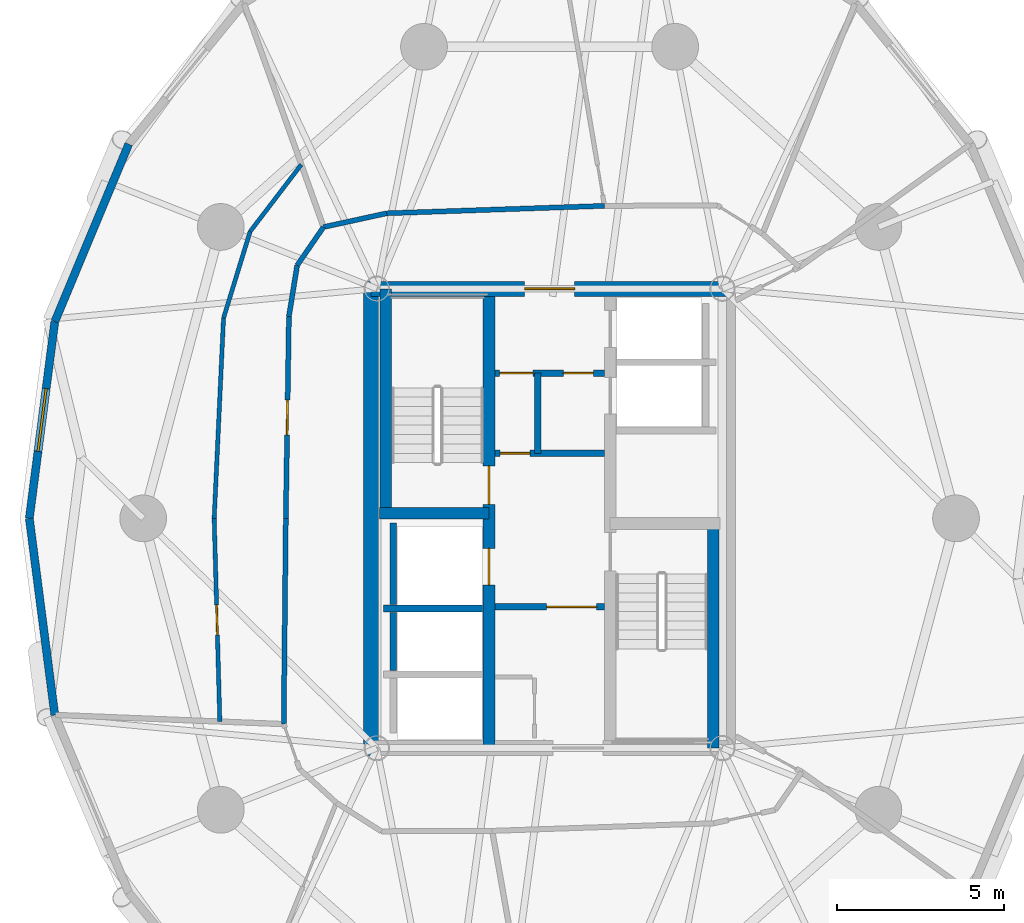
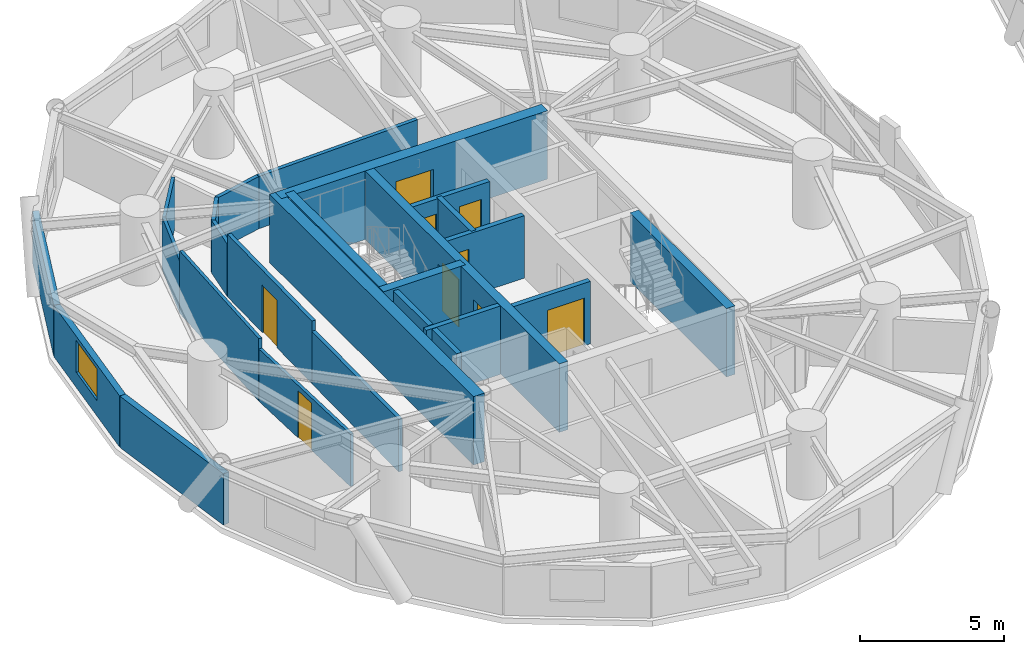
# One storey, part 10 of 17: 26 walls, 9 doors, 1 window, 10 openings.
"""IFC4 building model written with IfcOpenShell, lengths in metres."""

from ifc_helpers import new_model, si_unit, direction, frame, frame_2d, origin, place, context, subcontext, project, spatial, rectangle, extrude, source, transform, mapped, material, layer, layer_set, type_object, element, fill, save


model = new_model("IFC4")

# Units and contexts
model_context = context("Model", 3, precision=1e-05, world=origin(), true_north=direction((0.0, 1.0)))
body_context = subcontext(model_context, "Body", "Model", "MODEL_VIEW")
ifc_project = project(units=[si_unit("LENGTHUNIT", "METRE"), si_unit("AREAUNIT", "SQUARE_METRE"), si_unit("VOLUMEUNIT", "CUBIC_METRE"), si_unit("PLANEANGLEUNIT", "RADIAN"), si_unit("MASSUNIT", "GRAM", prefix="KILO")], contexts=[model_context])

# Site, building, storey
site_placement = place(None, origin())
site = spatial("IfcSite", under=ifc_project, at=site_placement, CompositionType="ELEMENT")
building_placement = place(site_placement, origin())
building = spatial("IfcBuilding", under=site, at=building_placement, Name="Cununo Teusaquillo Station Towers", CompositionType="ELEMENT")
storey_placement = place(building_placement, frame((0.0, 0.0, 116.7099609375)))
storey = spatial("IfcBuildingStorey", under=building, at=storey_placement, Name="L37", CompositionType="ELEMENT", Elevation=116.7099609375)

# Walls
ifc_material_1 = material(Name="Concrete C50/60", Category="concrete")
ifc_layer_1 = layer(ifc_material_1, 0.199951171875)
ifc_layer_set_1 = layer_set([ifc_layer_1], Name="Concrete C50/60")
wall_type_1 = type_object("IfcWallType", Name="WL-CORE-200", PredefinedType="SHEAR", material=ifc_layer_set_1)
wall_1_placement = place(storey_placement, frame((11.52001953125, 21.800048828125, 0.0), z_axis=(0.0, 0.0, 1.0), x_axis=(1.0, 0.0, 0.0)))
element("IfcWall", 1, at=wall_1_placement, inside=storey, type_object=wall_type_1, Name="L37 Tower A Firefighting Lift Shaft South Shear Wall", PredefinedType="SHEAR", context=body_context, shape_type="SweptSolid", body=[
    extrude(rectangle(XDim=2.969970703125, YDim=0.199951171875, at=frame_2d((1.48486328125, 0.0))), origin(), (0.0, 0.0, 1.0), 2.91015625),
])
wall_2_placement = place(storey_placement, frame((11.820068359375, 21.919921875, 0.0), z_axis=(0.0, 0.0, 1.0), x_axis=(0.0, 1.0, 0.0)))
element("IfcWall", 2, at=wall_2_placement, inside=storey, type_object=wall_type_1, Name="L37 Tower A Firefighting Lift Shaft Rear Shear Wall", PredefinedType="SHEAR", context=body_context, shape_type="SweptSolid", body=[
    extrude(rectangle(XDim=2.440185546875, YDim=0.199951171875, at=frame_2d((1.22021484375, 0.0))), origin(), (0.0, 0.0, 1.0), 2.91015625),
])
wall_3_placement = place(storey_placement, frame((11.820068359375, 19.945068359375, 0.0), z_axis=(0.0, 0.0, 1.0), x_axis=(0.0, 1.0, 0.0)))
element("IfcWall", 3, at=wall_3_placement, inside=storey, type_object=wall_type_1, Name="L37 Tower A High-Rise Lift 2 Shaft Rear Shear Wall", PredefinedType="SHEAR", context=body_context, shape_type="SweptSolid", body=[
    extrude(rectangle(XDim=1.73486328125, YDim=0.199951171875, at=frame_2d((0.867431640625, 0.0))), origin(), (0.0, 0.0, 1.0), 2.91015625),
])

# Wall, openings, doors
ifc_material_2 = material(Name="Concrete C50/60", Category="concrete")
ifc_layer_2 = layer(ifc_material_2, 0.35009765625)
ifc_layer_set_2 = layer_set([ifc_layer_2], Name="Concrete C50/60")
wall_type_2 = type_object("IfcWallType", Name="WL-CORE-350", PredefinedType="SHEAR", material=ifc_layer_set_2)
wall_4_placement = place(storey_placement, frame((14.68505859375, 17.625, 0.0), z_axis=(0.0, 0.0, 1.0), x_axis=(0.0, 1.0, 0.0)))
wall_4 = element("IfcWall", 4, at=wall_4_placement, inside=storey, type_object=wall_type_2, Name="L37 Tower A Core Shear Wall IW", PredefinedType="SHEAR", context=body_context, shape_type="SweptSolid", body=[
    extrude(rectangle(XDim=13.75, YDim=0.35009765625, at=frame_2d((6.875, 0.0))), origin(), (0.0, 0.0, 1.0), 2.91015625),
])
shared_shape_1 = source(origin(), body_context, "Body", "SweptSolid", [
    extrude(rectangle(XDim=1.10009765625, YDim=2.014892578125, at=frame_2d((0.550048828125, 1.00732421875))), frame((0.0, 0.18505859375, 0.0), z_axis=(0.0, -1.0, 0.0), x_axis=(1.0, 0.0, 0.0)), (0.0, 0.0, 1.0), 0.3701171875),
])
opening_1_placement = place(wall_4_placement, frame((4.875, 0.0, 0.0)))
opening_1 = element("IfcOpeningElement", 5, at=opening_1_placement, cuts=wall_4, Name="Opening LD-01", PredefinedType="OPENING", context=body_context, shape_type="MappedRepresentation", body=[
    mapped(shared_shape_1, transform((0.0, 0.0, 0.0), x_axis=(1.0, 0.0, 0.0), y_axis=(0.0, 1.0, 0.0), z_axis=(0.0, 0.0, 1.0), scale=1.0)),
])
shared_shape_2 = source(origin(), body_context, "Body", "SweptSolid", [
    extrude(rectangle(XDim=1.14990234375, YDim=2.02001953125, at=frame_2d((0.574951171875, 1.010009765625))), frame((0.0, 0.18505859375, 0.0), z_axis=(0.0, -1.0, 0.0), x_axis=(1.0, 0.0, 0.0)), (0.0, 0.0, 1.0), 0.3701171875),
])
opening_2_placement = place(wall_4_placement, frame((7.294921875, 0.0, 0.0)))
opening_2 = element("IfcOpeningElement", 6, at=opening_2_placement, cuts=wall_4, Name="Opening D-ST1", PredefinedType="OPENING", context=body_context, shape_type="MappedRepresentation", body=[
    mapped(shared_shape_2, transform((0.0, 0.0, 0.0), x_axis=(1.0, 0.0, 0.0), y_axis=(0.0, 1.0, 0.0), z_axis=(0.0, 0.0, 1.0), scale=1.0)),
])
ifc_material_3 = material(Name="Galvanised fire-rated hollow steel door assembly", Category="steel")
door_type_1 = type_object("IfcDoorType", Name="DR-LIFT-1100", OperationType="SLIDING_TO_LEFT", PredefinedType="DOOR", material=ifc_material_3)
shared_shape_3 = source(origin(), body_context, "Body", "SweptSolid", [
    extrude(rectangle(XDim=1.10009765625, YDim=2.014892578125, at=frame_2d((0.550048828125, 1.00732421875))), frame((0.0, 0.02490234375, 0.0), z_axis=(0.0, -1.0, 0.0), x_axis=(1.0, 0.0, 0.0)), (0.0, 0.0, 1.0), 0.050048828125),
])
door_1_placement = place(opening_1_placement, origin())
door_1 = element("IfcDoor", 7, at=door_1_placement, inside=storey, type_object=door_type_1, Name="L37 Lift FL-T1 Sliding Landing Door", OperationType="SLIDING_TO_RIGHT", OverallHeight=2.014892578125, OverallWidth=1.10009765625, PredefinedType="DOOR", context=body_context, shape_type="MappedRepresentation", body=[
    mapped(shared_shape_3, transform((0.0, 0.0, 0.0), x_axis=(1.0, 0.0, 0.0), y_axis=(0.0, 1.0, 0.0), z_axis=(0.0, 0.0, 1.0), scale=1.0)),
])
fill(opening_1, door_1)
ifc_material_4 = material(Name="Galvanised fire-rated hollow steel door assembly", Category="steel")
door_type_2 = type_object("IfcDoorType", Name="DR-STAIR-1150", OperationType="NOTDEFINED", PredefinedType="DOOR", material=ifc_material_4)
shared_shape_4 = source(origin(), body_context, "Body", "SweptSolid", [
    extrude(rectangle(XDim=1.14990234375, YDim=2.02001953125, at=frame_2d((0.574951171875, 1.010009765625))), frame((0.0, 0.02490234375, 0.0), z_axis=(0.0, -1.0, 0.0), x_axis=(1.0, 0.0, 0.0)), (0.0, 0.0, 1.0), 0.050048828125),
])
door_2_placement = place(opening_2_placement, origin())
door_2 = element("IfcDoor", 8, at=door_2_placement, inside=storey, type_object=door_type_2, Name="L37 Tower A Exit Stair 1 Fire Door", OperationType="SINGLE_SWING_RIGHT", OverallHeight=2.02001953125, OverallWidth=1.14990234375, PredefinedType="DOOR", context=body_context, shape_type="MappedRepresentation", body=[
    mapped(shared_shape_4, transform((0.0, 0.0, 0.0), x_axis=(1.0, 0.0, 0.0), y_axis=(0.0, 1.0, 0.0), z_axis=(0.0, 0.0, 1.0), scale=1.0)),
])
fill(opening_2, door_2)

# Walls
wall_5_placement = place(storey_placement, frame((11.594970703125, 24.655029296875, 0.0), z_axis=(0.0, 0.0, 1.0), x_axis=(0.0, 1.0, 0.0)))
element("IfcWall", 9, at=wall_5_placement, inside=storey, type_object=wall_type_2, Name="L37 Tower A Core Shear Wall ST1W", PredefinedType="SHEAR", context=body_context, shape_type="SweptSolid", body=[
    extrude(rectangle(XDim=6.719970703125, YDim=0.35009765625, at=frame_2d((3.35986328125, 0.0))), origin(), (0.0, 0.0, 1.0), 2.91015625),
])
wall_6_placement = place(storey_placement, frame((11.39990234375, 24.655029296875, 0.0), z_axis=(0.0, 0.0, 1.0), x_axis=(1.0, 0.0, 0.0)))
element("IfcWall", 10, at=wall_6_placement, inside=storey, type_object=wall_type_2, Name="L37 Tower A Core Shear Wall ST1S", PredefinedType="SHEAR", context=body_context, shape_type="SweptSolid", body=[
    extrude(rectangle(XDim=3.28515625, YDim=0.35009765625, at=frame_2d((1.642578125, 0.0))), origin(), (0.0, 0.0, 1.0), 2.91015625),
])
wall_7_placement = place(storey_placement, frame((21.405029296875, 17.625, 0.0), z_axis=(0.0, 0.0, 1.0), x_axis=(0.0, 1.0, 0.0)))
element("IfcWall", 11, at=wall_7_placement, inside=storey, type_object=wall_type_2, Name="L37 Tower A Core Shear Wall ST2E", PredefinedType="SHEAR", context=body_context, shape_type="SweptSolid", body=[
    extrude(rectangle(XDim=6.719970703125, YDim=0.35009765625, at=frame_2d((3.35986328125, 0.0))), origin(), (0.0, 0.0, 1.0), 2.91015625),
])
ifc_material_5 = material(Name="Concrete C60/75", Category="concrete")
ifc_layer_3 = layer(ifc_material_5, 0.449951171875)
ifc_layer_set_3 = layer_set([ifc_layer_3], Name="Concrete C60/75")
wall_type_3 = type_object("IfcWallType", Name="WL-CORE-450", PredefinedType="SHEAR", material=ifc_layer_set_3)
wall_8_placement = place(storey_placement, frame((11.14990234375, 17.39990234375, 0.0), z_axis=(0.0, 0.0, 1.0), x_axis=(0.0, 1.0, 0.0)))
element("IfcWall", 12, at=wall_8_placement, inside=storey, type_object=wall_type_3, Name="L37 Tower A Core Shear Wall W", PredefinedType="SHEAR", context=body_context, shape_type="SweptSolid", body=[
    extrude(rectangle(XDim=14.2001953125, YDim=0.449951171875, at=frame_2d((7.10009765625, 0.0))), origin(), (0.0, 0.0, 1.0), 2.91015625),
])

# Wall, opening, door
wall_9_placement = place(storey_placement, frame((11.14990234375, 31.375, 0.0), z_axis=(0.0, 0.0, 1.0), x_axis=(1.0, 0.0, 0.0)))
wall_9 = element("IfcWall", 13, at=wall_9_placement, inside=storey, type_object=wall_type_3, Name="L37 Tower A Core Shear Wall N", PredefinedType="SHEAR", context=body_context, shape_type="SweptSolid", body=[
    extrude(rectangle(XDim=10.7001953125, YDim=0.449951171875, at=frame_2d((5.35009765625, 0.0))), origin(), (0.0, 0.0, 1.0), 2.91015625),
])
shared_shape_5 = source(origin(), body_context, "Body", "SweptSolid", [
    extrude(rectangle(XDim=1.5, YDim=2.02001953125, at=frame_2d((0.75, 1.010009765625))), frame((0.0, 0.23486328125, 0.0), z_axis=(0.0, -1.0, 0.0), x_axis=(1.0, 0.0, 0.0)), (0.0, 0.0, 1.0), 0.469970703125),
])
opening_3_placement = place(wall_9_placement, frame((4.60009765625, 0.0, 0.0)))
opening_3 = element("IfcOpeningElement", 14, at=opening_3_placement, cuts=wall_9, Name="Opening D-LB1", PredefinedType="OPENING", context=body_context, shape_type="MappedRepresentation", body=[
    mapped(shared_shape_5, transform((0.0, 0.0, 0.0), x_axis=(1.0, 0.0, 0.0), y_axis=(0.0, 1.0, 0.0), z_axis=(0.0, 0.0, 1.0), scale=1.0)),
])
ifc_material_6 = material(Name="Galvanised fire-rated hollow steel door assembly", Category="steel")
door_type_3 = type_object("IfcDoorType", Name="DR-LOBBY-1500", OperationType="DOUBLE_DOOR_SINGLE_SWING", PredefinedType="DOOR", material=ifc_material_6)
shared_shape_6 = source(origin(), body_context, "Body", "SweptSolid", [
    extrude(rectangle(XDim=1.5, YDim=2.02001953125, at=frame_2d((0.75, 1.010009765625))), frame((0.0, 0.02490234375, 0.0), z_axis=(0.0, -1.0, 0.0), x_axis=(1.0, 0.0, 0.0)), (0.0, 0.0, 1.0), 0.050048828125),
])
door_3_placement = place(opening_3_placement, origin())
door_3 = element("IfcDoor", 15, at=door_3_placement, inside=storey, type_object=door_type_3, Name="L37 Tower A North Core Lift Lobby Door", OperationType="DOUBLE_DOOR_SINGLE_SWING", OverallHeight=2.02001953125, OverallWidth=1.5, PredefinedType="DOOR", context=body_context, shape_type="MappedRepresentation", body=[
    mapped(shared_shape_6, transform((0.0, 0.0, 0.0), x_axis=(1.0, 0.0, 0.0), y_axis=(0.0, 1.0, 0.0), z_axis=(0.0, 0.0, 1.0), scale=1.0)),
])
fill(opening_3, door_3)

# Wall
ifc_material_7 = material(Name="Precast concrete C40/50", Category="concrete")
ifc_layer_4 = layer(ifc_material_7, 0.239990234375)
ifc_layer_set_4 = layer_set([ifc_layer_4], Name="Precast concrete C40/50")
wall_type_4 = type_object("IfcWallType", Name="WL-EXT-240", PredefinedType="SOLIDWALL", material=ifc_layer_set_4)
wall_10_placement = place(storey_placement, frame((1.681640625, 30.39306640625, 0.0), z_axis=(0.0, 0.0, 1.0), x_axis=(0.384344417632, 0.923189779317, 0.0)))
element("IfcWall", 16, at=wall_10_placement, inside=storey, type_object=wall_type_4, Name="L37 Tower A Exterior Facade Wall C08", PredefinedType="SOLIDWALL", context=body_context, shape_type="SweptSolid", body=[
    extrude(rectangle(XDim=5.75830078125, YDim=0.239990234375, at=frame_2d((2.879150390625, 0.0))), origin(), (0.0, 0.0, 1.0), 2.178955078125),
])

# Wall, opening, window
wall_11_placement = place(storey_placement, frame((0.9189453125, 24.5, 0.0), z_axis=(0.0, 0.0, 1.0), x_axis=(0.128351991996, 0.991728675672, 0.0)))
wall_11 = element("IfcWall", 17, at=wall_11_placement, inside=storey, type_object=wall_type_4, Name="L37 Tower A Exterior Facade Wall C09", PredefinedType="SOLIDWALL", context=body_context, shape_type="SweptSolid", body=[
    extrude(rectangle(XDim=5.942138671875, YDim=0.239990234375, at=frame_2d((2.97119140625, 0.0))), origin(), (0.0, 0.0, 1.0), 2.178955078125),
])
shared_shape_7 = source(origin(), body_context, "Body", "SweptSolid", [
    extrude(rectangle(XDim=1.89990234375, YDim=1.35009765625, at=frame_2d((0.949951171875, 0.675048828125))), frame((0.0, 0.1298828125, 0.0), z_axis=(0.0, -1.0, 0.0), x_axis=(1.0, 0.0, 0.0)), (0.0, 0.0, 1.0), 0.260009765625),
])
opening_4_placement = place(wall_11_placement, frame((2.02099609375, 0.0, 0.64990234375)))
opening_4 = element("IfcOpeningElement", 18, at=opening_4_placement, cuts=wall_11, Name="Opening WN-02", PredefinedType="OPENING", context=body_context, shape_type="MappedRepresentation", body=[
    mapped(shared_shape_7, transform((0.0, 0.0, 0.0), x_axis=(1.0, 0.0, 0.0), y_axis=(0.0, 1.0, 0.0), z_axis=(0.0, 0.0, 1.0), scale=1.0)),
])
ifc_material_8 = material(Name="Operable acoustic tinted low-E double glazing", Category="glass")
window_type = type_object("IfcWindowType", Name="WIN-OPER-1900", PartitioningType="DOUBLE_PANEL_VERTICAL", PredefinedType="WINDOW", material=ifc_material_8)
shared_shape_8 = source(origin(), body_context, "Body", "SweptSolid", [
    extrude(rectangle(XDim=1.89990234375, YDim=1.35009765625, at=frame_2d((0.949951171875, 0.675048828125))), frame((0.0, 0.030029296875, 0.0), z_axis=(0.0, -1.0, 0.0), x_axis=(1.0, 0.0, 0.0)), (0.0, 0.0, 1.0), 0.06005859375),
])
window_placement = place(opening_4_placement, origin())
window = element("IfcWindow", 19, at=window_placement, inside=storey, type_object=window_type, Name="L37 Tower A Facade Window C09", OverallHeight=1.35009765625, OverallWidth=1.89990234375, PartitioningType="DOUBLE_PANEL_VERTICAL", PredefinedType="WINDOW", context=body_context, shape_type="MappedRepresentation", body=[
    mapped(shared_shape_8, transform((0.0, 0.0, 0.0), x_axis=(1.0, 0.0, 0.0), y_axis=(0.0, 1.0, 0.0), z_axis=(0.0, 0.0, 1.0), scale=1.0)),
])
fill(opening_4, window)

# Walls
wall_12_placement = place(storey_placement, frame((1.681640625, 18.60693359375, 0.0), z_axis=(0.0, 0.0, 1.0), x_axis=(-0.128351991996, 0.991728675672, 0.0)))
element("IfcWall", 20, at=wall_12_placement, inside=storey, type_object=wall_type_4, Name="L37 Tower A Exterior Facade Wall C10", PredefinedType="SOLIDWALL", context=body_context, shape_type="SweptSolid", body=[
    extrude(rectangle(XDim=5.942138671875, YDim=0.239990234375, at=frame_2d((2.97119140625, 0.0))), origin(), (0.0, 0.0, 1.0), 2.178955078125),
])
ifc_material_9 = material(Name="Fire-rated gypsum plasterboard partition assembly", Category="gypsum")
ifc_layer_5 = layer(ifc_material_9, 0.125)
ifc_layer_set_5 = layer_set([ifc_layer_5], Name="Fire-rated gypsum plasterboard partition assembly")
wall_type_5 = type_object("IfcWallType", Name="WL-PART-125", PredefinedType="PARTITIONING", material=ifc_layer_set_5)
wall_13_placement = place(storey_placement, frame((9.064208984375, 35.09716796875, 0.0), z_axis=(0.0, 0.0, 1.0), x_axis=(-0.607126893664, -0.794604892377, 0.0)))
element("IfcWall", 21, at=wall_13_placement, inside=storey, type_object=wall_type_5, Name="L37 Tower A Corporate Strategy Boardroom Concentric Partition Wall C07", PredefinedType="PARTITIONING", context=body_context, shape_type="SweptSolid", body=[
    extrude(rectangle(XDim=2.523681640625, YDim=0.125, at=frame_2d((1.26171875, 0.0))), origin(), (0.0, 0.0, 1.0), 2.178955078125),
])
wall_14_placement = place(storey_placement, frame((7.531982421875, 33.091796875, 0.0), z_axis=(0.0, 0.0, 1.0), x_axis=(-0.293965637063, -0.955815988685, 0.0)))
element("IfcWall", 22, at=wall_14_placement, inside=storey, type_object=wall_type_5, Name="L37 Tower A Corporate Strategy Boardroom Concentric Partition Wall C08", PredefinedType="PARTITIONING", context=body_context, shape_type="SweptSolid", body=[
    extrude(rectangle(XDim=2.711669921875, YDim=0.125, at=frame_2d((1.35595703125, 0.0))), origin(), (0.0, 0.0, 1.0), 2.22509765625),
])
wall_15_placement = place(storey_placement, frame((6.73486328125, 30.5, 0.0), z_axis=(0.0, 0.0, 1.0), x_axis=(-0.046620801603, -0.998912659274, 0.0)))
element("IfcWall", 23, at=wall_15_placement, inside=storey, type_object=wall_type_5, Name="L37 Tower A Corporate Strategy Boardroom Concentric Partition Wall C09", PredefinedType="PARTITIONING", context=body_context, shape_type="SweptSolid", body=[
    extrude(rectangle(XDim=6.006591796875, YDim=0.125, at=frame_2d((3.00341796875, 0.0))), origin(), (0.0, 0.0, 1.0), 2.655029296875),
])

# Wall, opening, door
wall_16_placement = place(storey_placement, frame((6.454833984375, 24.5, 0.0), z_axis=(0.0, 0.0, 1.0), x_axis=(0.027753708707, -0.999614791634, 0.0)))
wall_16 = element("IfcWall", 24, at=wall_16_placement, inside=storey, type_object=wall_type_5, Name="L37 Tower A Corporate Strategy Boardroom Concentric Partition Wall C10", PredefinedType="PARTITIONING", context=body_context, shape_type="SweptSolid", body=[
    extrude(rectangle(XDim=6.08740234375, YDim=0.125, at=frame_2d((3.043701171875, 0.0))), origin(), (0.0, 0.0, 1.0), 2.22509765625),
])
shared_shape_9 = source(origin(), body_context, "Body", "SweptSolid", [
    extrude(rectangle(XDim=0.89990234375, YDim=2.0048828125, at=frame_2d((0.449951171875, 1.00244140625))), frame((0.0, 0.072509765625, 0.0), z_axis=(0.0, -1.0, 0.0), x_axis=(1.0, 0.0, 0.0)), (0.0, 0.0, 1.0), 0.14501953125),
])
opening_5_placement = place(wall_16_placement, frame((2.593505859375, 0.0, 0.0)))
opening_5 = element("IfcOpeningElement", 25, at=opening_5_placement, cuts=wall_16, Name="Opening D-IN1", PredefinedType="OPENING", context=body_context, shape_type="MappedRepresentation", body=[
    mapped(shared_shape_9, transform((0.0, 0.0, 0.0), x_axis=(1.0, 0.0, 0.0), y_axis=(0.0, 1.0, 0.0), z_axis=(0.0, 0.0, 1.0), scale=1.0)),
])
ifc_material_10 = material(Name="Acoustic solid-core hardwood leaf assembly", Category="wood")
door_type_4 = type_object("IfcDoorType", Name="DR-INT-900", OperationType="NOTDEFINED", PredefinedType="DOOR", material=ifc_material_10)
shared_shape_10 = source(origin(), body_context, "Body", "SweptSolid", [
    extrude(rectangle(XDim=0.89990234375, YDim=2.0048828125, at=frame_2d((0.449951171875, 1.00244140625))), frame((0.0, 0.02490234375, 0.0), z_axis=(0.0, -1.0, 0.0), x_axis=(1.0, 0.0, 0.0)), (0.0, 0.0, 1.0), 0.050048828125),
])
door_4_placement = place(opening_5_placement, origin())
door_4 = element("IfcDoor", 26, at=door_4_placement, inside=storey, type_object=door_type_4, Name="L37 Tower A Corporate Strategy Boardroom Connecting Door", OperationType="SINGLE_SWING_LEFT", OverallHeight=2.0048828125, OverallWidth=0.89990234375, PredefinedType="DOOR", context=body_context, shape_type="MappedRepresentation", body=[
    mapped(shared_shape_10, transform((0.0, 0.0, 0.0), x_axis=(1.0, 0.0, 0.0), y_axis=(0.0, 1.0, 0.0), z_axis=(0.0, 0.0, 1.0), scale=1.0)),
])
fill(opening_5, door_4)

# Walls
ifc_material_11 = material(Name="Fire-rated gypsum plasterboard partition assembly", Category="gypsum")
ifc_layer_6 = layer(ifc_material_11, 0.14990234375)
ifc_layer_set_6 = layer_set([ifc_layer_6], Name="Fire-rated gypsum plasterboard partition assembly")
wall_type_6 = type_object("IfcWallType", Name="WL-PART-150", PredefinedType="PARTITIONING", material=ifc_layer_set_6)
wall_17_placement = place(storey_placement, frame((18.142822265625, 33.859619140625, 0.0), z_axis=(0.0, 0.0, 1.0), x_axis=(-0.999419208319, -0.034077060363, 0.0)))
element("IfcWall", 27, at=wall_17_placement, inside=storey, type_object=wall_type_6, Name="L37 Tower A Corridor Ring Wall C05", PredefinedType="PARTITIONING", context=body_context, shape_type="SweptSolid", body=[
    extrude(rectangle(XDim=6.52685546875, YDim=0.14990234375, at=frame_2d((3.263427734375, 0.0))), origin(), (0.0, 0.0, 1.0), 2.22509765625),
])
wall_18_placement = place(storey_placement, frame((11.619873046875, 33.63720703125, 0.0), z_axis=(0.0, 0.0, 1.0), x_axis=(-0.97702579435, -0.213121085711, 0.0)))
element("IfcWall", 28, at=wall_18_placement, inside=storey, type_object=wall_type_6, Name="L37 Tower A Corridor Ring Wall C06", PredefinedType="PARTITIONING", context=body_context, shape_type="SweptSolid", body=[
    extrude(rectangle(XDim=1.934814453125, YDim=0.14990234375, at=frame_2d((0.96728515625, 0.0))), origin(), (0.0, 0.0, 1.0), 2.22509765625),
])
wall_19_placement = place(storey_placement, frame((9.7294921875, 33.224853515625, 0.0), z_axis=(0.0, 0.0, 1.0), x_axis=(-0.567183649484, -0.82359134755, 0.0)))
element("IfcWall", 29, at=wall_19_placement, inside=storey, type_object=wall_type_6, Name="L37 Tower A Corridor Ring Wall C07", PredefinedType="PARTITIONING", context=body_context, shape_type="SweptSolid", body=[
    extrude(rectangle(XDim=1.39208984375, YDim=0.14990234375, at=frame_2d((0.696044921875, 0.0))), origin(), (0.0, 0.0, 1.0), 2.22509765625),
])
wall_20_placement = place(storey_placement, frame((8.93994140625, 32.078369140625, 0.0), z_axis=(0.0, 0.0, 1.0), x_axis=(-0.159148467753, -0.98725466077, 0.0)))
element("IfcWall", 30, at=wall_20_placement, inside=storey, type_object=wall_type_6, Name="L37 Tower A Corridor Ring Wall C08", PredefinedType="PARTITIONING", context=body_context, shape_type="SweptSolid", body=[
    extrude(rectangle(XDim=1.553955078125, YDim=0.14990234375, at=frame_2d((0.77685546875, 0.0))), origin(), (0.0, 0.0, 1.0), 2.22509765625),
])

# Wall, opening, door
wall_21_placement = place(storey_placement, frame((8.692626953125, 30.544189453125, 0.0), z_axis=(0.0, 0.0, 1.0), x_axis=(-0.015307007986, -0.99988284089, 0.0)))
wall_21 = element("IfcWall", 31, at=wall_21_placement, inside=storey, type_object=wall_type_6, Name="L37 Tower A Corridor Ring Wall C09", PredefinedType="PARTITIONING", context=body_context, shape_type="SweptSolid", body=[
    extrude(rectangle(XDim=6.044921875, YDim=0.14990234375, at=frame_2d((3.0224609375, 0.0))), origin(), (0.0, 0.0, 1.0), 2.655029296875),
])
shared_shape_11 = source(origin(), body_context, "Body", "SweptSolid", [
    extrude(rectangle(XDim=1.050048828125, YDim=2.014892578125, at=frame_2d((0.52490234375, 1.00732421875))), frame((0.0, 0.0849609375, 0.0), z_axis=(0.0, -1.0, 0.0), x_axis=(1.0, 0.0, 0.0)), (0.0, 0.0, 1.0), 0.169921875),
])
opening_6_placement = place(wall_21_placement, frame((2.497314453125, 0.0, 0.0)))
opening_6 = element("IfcOpeningElement", 32, at=opening_6_placement, cuts=wall_21, Name="Opening D-SU1", PredefinedType="OPENING", context=body_context, shape_type="MappedRepresentation", body=[
    mapped(shared_shape_11, transform((0.0, 0.0, 0.0), x_axis=(1.0, 0.0, 0.0), y_axis=(0.0, 1.0, 0.0), z_axis=(0.0, 0.0, 1.0), scale=1.0)),
])
ifc_material_12 = material(Name="Acoustic solid-core hardwood leaf assembly", Category="wood")
door_type_5 = type_object("IfcDoorType", Name="DR-SUITE-1050", OperationType="NOTDEFINED", PredefinedType="DOOR", material=ifc_material_12)
shared_shape_12 = source(origin(), body_context, "Body", "SweptSolid", [
    extrude(rectangle(XDim=1.050048828125, YDim=2.014892578125, at=frame_2d((0.52490234375, 1.00732421875))), frame((0.0, 0.02490234375, 0.0), z_axis=(0.0, -1.0, 0.0), x_axis=(1.0, 0.0, 0.0)), (0.0, 0.0, 1.0), 0.050048828125),
])
door_5_placement = place(opening_6_placement, origin())
door_5 = element("IfcDoor", 33, at=door_5_placement, inside=storey, type_object=door_type_5, Name="L37 Tower A Corporate Strategy Boardroom Entrance Door", OperationType="SINGLE_SWING_RIGHT", OverallHeight=2.014892578125, OverallWidth=1.050048828125, PredefinedType="DOOR", context=body_context, shape_type="MappedRepresentation", body=[
    mapped(shared_shape_12, transform((0.0, 0.0, 0.0), x_axis=(1.0, 0.0, 0.0), y_axis=(0.0, 1.0, 0.0), z_axis=(0.0, 0.0, 1.0), scale=1.0)),
])
fill(opening_6, door_5)

# Wall
wall_22_placement = place(storey_placement, frame((8.60009765625, 24.5, 0.0), z_axis=(0.0, 0.0, 1.0), x_axis=(-0.010023665349, -0.999949761805, 0.0)))
element("IfcWall", 34, at=wall_22_placement, inside=storey, type_object=wall_type_6, Name="L37 Tower A Corridor Ring Wall C10", PredefinedType="PARTITIONING", context=body_context, shape_type="SweptSolid", body=[
    extrude(rectangle(XDim=6.162109375, YDim=0.14990234375, at=frame_2d((3.0810546875, 0.0))), origin(), (0.0, 0.0, 1.0), 2.22509765625),
])

# Wall, opening, door
ifc_material_13 = material(Name="Fire-rated gypsum plasterboard partition assembly", Category="gypsum")
ifc_layer_7 = layer(ifc_material_13, 0.199951171875)
ifc_layer_set_7 = layer_set([ifc_layer_7], Name="Fire-rated gypsum plasterboard partition assembly")
wall_type_7 = type_object("IfcWallType", Name="WL-PART-200", PredefinedType="PARTITIONING", material=ifc_layer_set_7)
wall_23_placement = place(storey_placement, frame((14.860107421875, 21.85009765625, 0.0), z_axis=(0.0, 0.0, 1.0), x_axis=(1.0, 0.0, 0.0)))
wall_23 = element("IfcWall", 35, at=wall_23_placement, inside=storey, type_object=wall_type_7, Name="L37 Tower A Firefighting Lift Lobby South Fire Wall", PredefinedType="PARTITIONING", context=body_context, shape_type="SweptSolid", body=[
    extrude(rectangle(XDim=3.27978515625, YDim=0.199951171875, at=frame_2d((1.639892578125, 0.0))), origin(), (0.0, 0.0, 1.0), 2.655029296875),
])
shared_shape_13 = source(origin(), body_context, "Body", "SweptSolid", [
    extrude(rectangle(XDim=1.5, YDim=2.02001953125, at=frame_2d((0.75, 1.010009765625))), frame((0.0, 0.10986328125, 0.0), z_axis=(0.0, -1.0, 0.0), x_axis=(1.0, 0.0, 0.0)), (0.0, 0.0, 1.0), 0.219970703125),
])
opening_7_placement = place(wall_23_placement, frame((1.550048828125, 0.0, 0.0)))
opening_7 = element("IfcOpeningElement", 36, at=opening_7_placement, cuts=wall_23, Name="Opening D-LB1", PredefinedType="OPENING", context=body_context, shape_type="MappedRepresentation", body=[
    mapped(shared_shape_13, transform((0.0, 0.0, 0.0), x_axis=(1.0, 0.0, 0.0), y_axis=(0.0, 1.0, 0.0), z_axis=(0.0, 0.0, 1.0), scale=1.0)),
])
door_6_placement = place(opening_7_placement, origin())
door_6 = element("IfcDoor", 37, at=door_6_placement, inside=storey, type_object=door_type_3, Name="L37 Tower A Firefighting Lift Lobby South Fire Door", OperationType="DOUBLE_DOOR_SINGLE_SWING", OverallHeight=2.02001953125, OverallWidth=1.5, PredefinedType="DOOR", context=body_context, shape_type="MappedRepresentation", body=[
    mapped(shared_shape_6, transform((0.0, 0.0, 0.0), x_axis=(1.0, 0.0, 0.0), y_axis=(0.0, 1.0, 0.0), z_axis=(0.0, 0.0, 1.0), scale=1.0)),
])
fill(opening_7, door_6)

wall_24_placement = place(storey_placement, frame((14.860107421875, 26.449951171875, 0.0), z_axis=(0.0, 0.0, 1.0), x_axis=(1.0, 0.0, 0.0)))
wall_24 = element("IfcWall", 38, at=wall_24_placement, inside=storey, type_object=wall_type_7, Name="L37 Tower A Firefighting Lift Lobby North Fire Wall", PredefinedType="PARTITIONING", context=body_context, shape_type="SweptSolid", body=[
    extrude(rectangle(XDim=3.27978515625, YDim=0.199951171875, at=frame_2d((1.639892578125, 0.0))), origin(), (0.0, 0.0, 1.0), 2.655029296875),
])
shared_shape_14 = source(origin(), body_context, "Body", "SweptSolid", [
    extrude(rectangle(XDim=0.89990234375, YDim=2.0048828125, at=frame_2d((0.449951171875, 1.00244140625))), frame((0.0, 0.10986328125, 0.0), z_axis=(0.0, -1.0, 0.0), x_axis=(1.0, 0.0, 0.0)), (0.0, 0.0, 1.0), 0.219970703125),
])
opening_8_placement = place(wall_24_placement, frame((0.159912109375, 0.0, 0.0)))
opening_8 = element("IfcOpeningElement", 39, at=opening_8_placement, cuts=wall_24, Name="Opening D-SR1", PredefinedType="OPENING", context=body_context, shape_type="MappedRepresentation", body=[
    mapped(shared_shape_14, transform((0.0, 0.0, 0.0), x_axis=(1.0, 0.0, 0.0), y_axis=(0.0, 1.0, 0.0), z_axis=(0.0, 0.0, 1.0), scale=1.0)),
])
ifc_material_14 = material(Name="Galvanised fire-rated hollow steel door assembly", Category="steel")
door_type_6 = type_object("IfcDoorType", Name="DR-STORE-900", OperationType="NOTDEFINED", PredefinedType="DOOR", material=ifc_material_14)
door_7_placement = place(opening_8_placement, origin())
door_7 = element("IfcDoor", 40, at=door_7_placement, inside=storey, type_object=door_type_6, Name="L37 Tower A Stair 1 Protected Vestibule South Door", OperationType="SINGLE_SWING_RIGHT", OverallHeight=2.0048828125, OverallWidth=0.89990234375, PredefinedType="DOOR", context=body_context, shape_type="MappedRepresentation", body=[
    mapped(shared_shape_10, transform((0.0, 0.0, 0.0), x_axis=(1.0, 0.0, 0.0), y_axis=(0.0, 1.0, 0.0), z_axis=(0.0, 0.0, 1.0), scale=1.0)),
])
fill(opening_8, door_7)

# Wall
wall_25_placement = place(storey_placement, frame((16.14990234375, 26.449951171875, 0.0), z_axis=(0.0, 0.0, 1.0), x_axis=(0.0, 1.0, 0.0)))
element("IfcWall", 41, at=wall_25_placement, inside=storey, type_object=wall_type_7, Name="L37 Tower A Stair 1 Vestibule Partition Wall", PredefinedType="PARTITIONING", context=body_context, shape_type="SweptSolid", body=[
    extrude(rectangle(XDim=2.400146484375, YDim=0.199951171875, at=frame_2d((1.2001953125, 0.0))), origin(), (0.0, 0.0, 1.0), 2.655029296875),
])

# Wall, openings, doors
wall_26_placement = place(storey_placement, frame((14.860107421875, 28.85009765625, 0.0), z_axis=(0.0, 0.0, 1.0), x_axis=(1.0, 0.0, 0.0)))
wall_26 = element("IfcWall", 42, at=wall_26_placement, inside=storey, type_object=wall_type_7, Name="L37 Tower A North Lift Lobby South Fire Wall", PredefinedType="PARTITIONING", context=body_context, shape_type="SweptSolid", body=[
    extrude(rectangle(XDim=3.27978515625, YDim=0.199951171875, at=frame_2d((1.639892578125, 0.0))), origin(), (0.0, 0.0, 1.0), 2.655029296875),
])
shared_shape_15 = source(origin(), body_context, "Body", "SweptSolid", [
    extrude(rectangle(XDim=1.0, YDim=2.014892578125, at=frame_2d((0.5, 1.00732421875))), frame((0.0, 0.10986328125, 0.0), z_axis=(0.0, -1.0, 0.0), x_axis=(1.0, 0.0, 0.0)), (0.0, 0.0, 1.0), 0.219970703125),
])
opening_9_placement = place(wall_26_placement, frame((0.139892578125, 0.0, 0.0)))
opening_9 = element("IfcOpeningElement", 43, at=opening_9_placement, cuts=wall_26, Name="Opening D-AC1", PredefinedType="OPENING", context=body_context, shape_type="MappedRepresentation", body=[
    mapped(shared_shape_15, transform((0.0, 0.0, 0.0), x_axis=(1.0, 0.0, 0.0), y_axis=(0.0, 1.0, 0.0), z_axis=(0.0, 0.0, 1.0), scale=1.0)),
])
opening_10_placement = place(wall_26_placement, frame((2.050048828125, 0.0, 0.0)))
opening_10 = element("IfcOpeningElement", 44, at=opening_10_placement, cuts=wall_26, Name="Opening D-SR1", PredefinedType="OPENING", context=body_context, shape_type="MappedRepresentation", body=[
    mapped(shared_shape_14, transform((0.0, 0.0, 0.0), x_axis=(1.0, 0.0, 0.0), y_axis=(0.0, 1.0, 0.0), z_axis=(0.0, 0.0, 1.0), scale=1.0)),
])
door_8_placement = place(opening_10_placement, origin())
door_8 = element("IfcDoor", 45, at=door_8_placement, inside=storey, type_object=door_type_6, Name="L37 Tower A Core Housekeeping & Linen Store Door", OperationType="SINGLE_SWING_LEFT", OverallHeight=2.0048828125, OverallWidth=0.89990234375, PredefinedType="DOOR", context=body_context, shape_type="MappedRepresentation", body=[
    mapped(shared_shape_10, transform((0.0, 0.0, 0.0), x_axis=(1.0, 0.0, 0.0), y_axis=(0.0, 1.0, 0.0), z_axis=(0.0, 0.0, 1.0), scale=1.0)),
])
fill(opening_10, door_8)
ifc_material_15 = material(Name="Acoustic solid-core hardwood leaf assembly", Category="wood")
door_type_7 = type_object("IfcDoorType", Name="DR-ACC-1000", OperationType="NOTDEFINED", PredefinedType="DOOR", material=ifc_material_15)
shared_shape_16 = source(origin(), body_context, "Body", "SweptSolid", [
    extrude(rectangle(XDim=1.0, YDim=2.014892578125, at=frame_2d((0.5, 1.00732421875))), frame((0.0, 0.02490234375, 0.0), z_axis=(0.0, -1.0, 0.0), x_axis=(1.0, 0.0, 0.0)), (0.0, 0.0, 1.0), 0.050048828125),
])
door_9_placement = place(opening_9_placement, origin())
door_9 = element("IfcDoor", 46, at=door_9_placement, inside=storey, type_object=door_type_7, Name="L37 Tower A North Lift Lobby to Stair 1 Vestibule Door", OperationType="SINGLE_SWING_LEFT", OverallHeight=2.014892578125, OverallWidth=1.0, PredefinedType="DOOR", context=body_context, shape_type="MappedRepresentation", body=[
    mapped(shared_shape_16, transform((0.0, 0.0, 0.0), x_axis=(1.0, 0.0, 0.0), y_axis=(0.0, 1.0, 0.0), z_axis=(0.0, 0.0, 1.0), scale=1.0)),
])
fill(opening_9, door_9)

save(model, "model.ifc")
